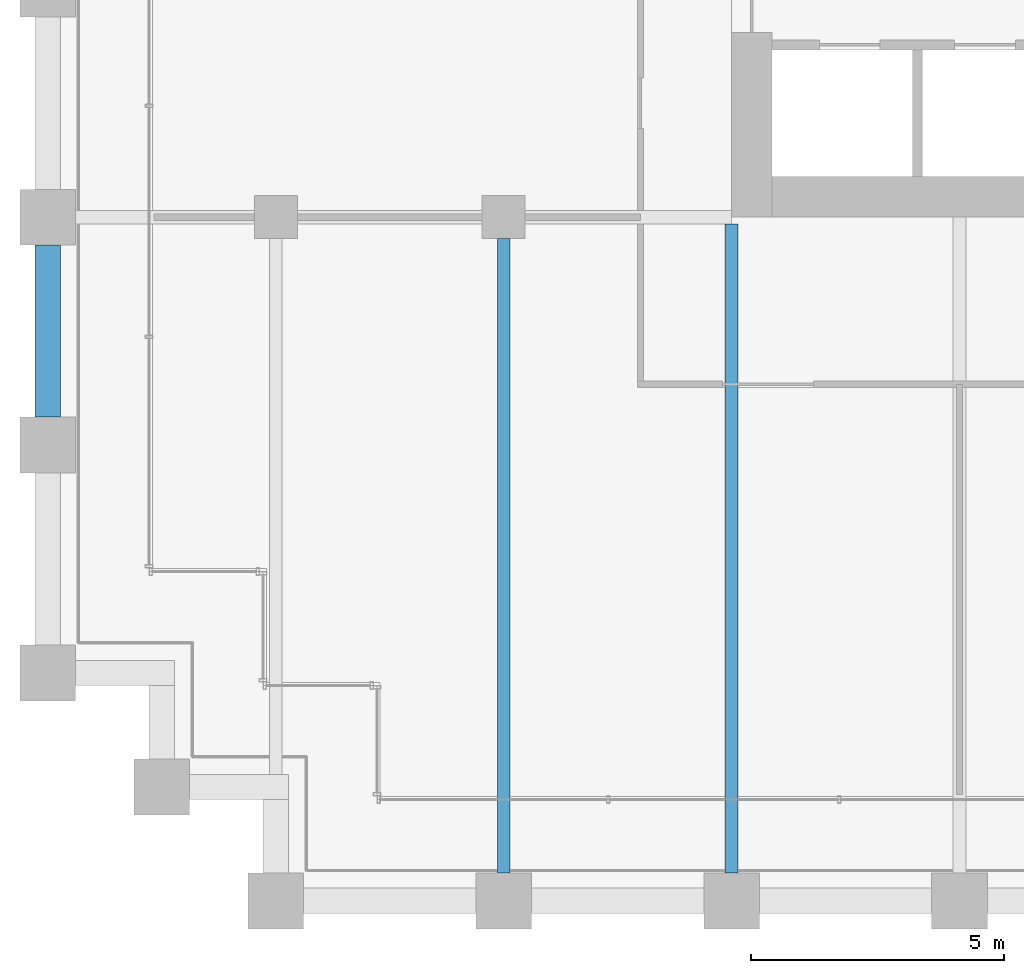
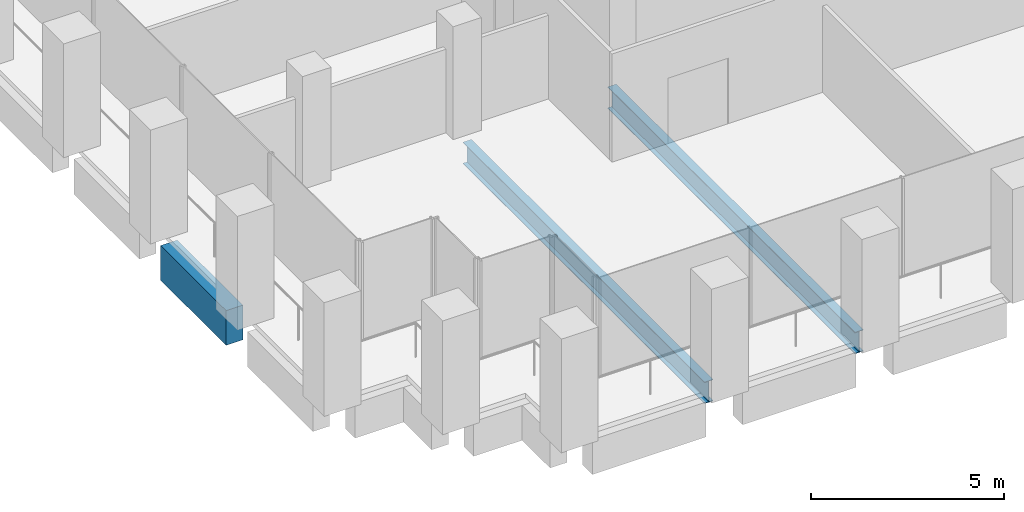
# One storey, part 4 of 56: 3 beams.
"""IFC4 building model written with IfcOpenShell, lengths in metres."""

from ifc_helpers import new_model, si_unit, direction, frame, origin, origin_2d, place, context, subcontext, project, spatial, rectangle, i_section, extrude, material, material_profile, profile_set, type_object, element, save


model = new_model("IFC4")

# Units and contexts
model_context = context("Model", 3, precision=1e-05, world=origin(), true_north=direction((0.0, 1.0)))
body_context = subcontext(model_context, "Body", "Model", "MODEL_VIEW")
ifc_project = project(units=[si_unit("LENGTHUNIT", "METRE"), si_unit("AREAUNIT", "SQUARE_METRE"), si_unit("VOLUMEUNIT", "CUBIC_METRE"), si_unit("PLANEANGLEUNIT", "RADIAN"), si_unit("MASSUNIT", "GRAM", prefix="KILO")], contexts=[model_context])

# Site, building, storey
site_placement = place(None, origin())
site = spatial("IfcSite", under=ifc_project, at=site_placement, CompositionType="ELEMENT")
building_placement = place(site_placement, origin())
building = spatial("IfcBuilding", under=site, at=building_placement, Name="Altepetl Exchange Towers", CompositionType="ELEMENT")
storey_placement = place(building_placement, frame((0.0, 0.0, 79.800048828125)))
storey = spatial("IfcBuildingStorey", under=building, at=storey_placement, Name="L19", CompositionType="ELEMENT", Elevation=79.800048828125)

# Beams
ifc_material_1 = material(Name="Steel S355", Category="steel")
ifc_material_profile_1 = material_profile(ifc_material_1, i_section(OverallWidth=0.25390625, OverallDepth=0.68408203125, WebThickness=0.012451171875, FlangeThickness=0.018798828125, at=origin_2d()), Name="W27X94")
ifc_profile_set_1 = profile_set([ifc_material_profile_1], Name="Steel S355")
beam_type_1 = type_object("IfcBeamType", Name="Floor beam W27X94", PredefinedType="BEAM", material=ifc_profile_set_1)
beam_1_placement = place(storey_placement, frame((36.0, 27.550048828125, -0.491943359375), z_axis=(0.0, 1.0, 0.0), x_axis=(-1.0, 0.0, 0.0)))
element("IfcBeam", 1, at=beam_1_placement, inside=storey, type_object=beam_type_1, Name="bm:A:L19:013", PredefinedType="BEAM", context=body_context, shape_type="SweptSolid", body=[
    extrude(i_section(OverallWidth=0.25390625, OverallDepth=0.68408203125, WebThickness=0.012451171875, FlangeThickness=0.018798828125, at=origin_2d()), origin(), (0.0, 0.0, 1.0), 12.52490234375),
])
beam_2_placement = place(storey_placement, frame((40.5, 27.550048828125, -0.491943359375), z_axis=(0.0, 1.0, 0.0), x_axis=(-1.0, 0.0, 0.0)))
element("IfcBeam", 2, at=beam_2_placement, inside=storey, type_object=beam_type_1, Name="bm:A:L19:014", PredefinedType="BEAM", context=body_context, shape_type="SweptSolid", body=[
    extrude(i_section(OverallWidth=0.25390625, OverallDepth=0.68408203125, WebThickness=0.012451171875, FlangeThickness=0.018798828125, at=origin_2d()), origin(), (0.0, 0.0, 1.0), 12.81591796875),
])
ifc_material_2 = material(Name="Concrete C50/60 precast with cantera blanca facing", Category="concrete")
ifc_material_profile_2 = material_profile(ifc_material_2, rectangle(XDim=0.5, YDim=1.10009765625, at=origin_2d()), Name="500 x 1100")
ifc_profile_set_2 = profile_set([ifc_material_profile_2], Name="Concrete C50/60 precast with cantera blanca facing")
beam_type_2 = type_object("IfcBeamType", Name="Spandrel beam 500x1100 cantera blanca", PredefinedType="SPANDREL", material=ifc_profile_set_2)
beam_3_placement = place(storey_placement, frame((27.0, 39.949951171875, -0.699951171875), z_axis=(0.0, -1.0, 0.0), x_axis=(1.0, 0.0, 0.0)))
element("IfcBeam", 3, at=beam_3_placement, inside=storey, type_object=beam_type_2, Name="sp:A:L19:042", PredefinedType="SPANDREL", context=body_context, shape_type="SweptSolid", body=[
    extrude(rectangle(XDim=0.5, YDim=1.10009765625, at=origin_2d()), origin(), (0.0, 0.0, 1.0), 3.39990234375),
])

save(model, "model.ifc")
